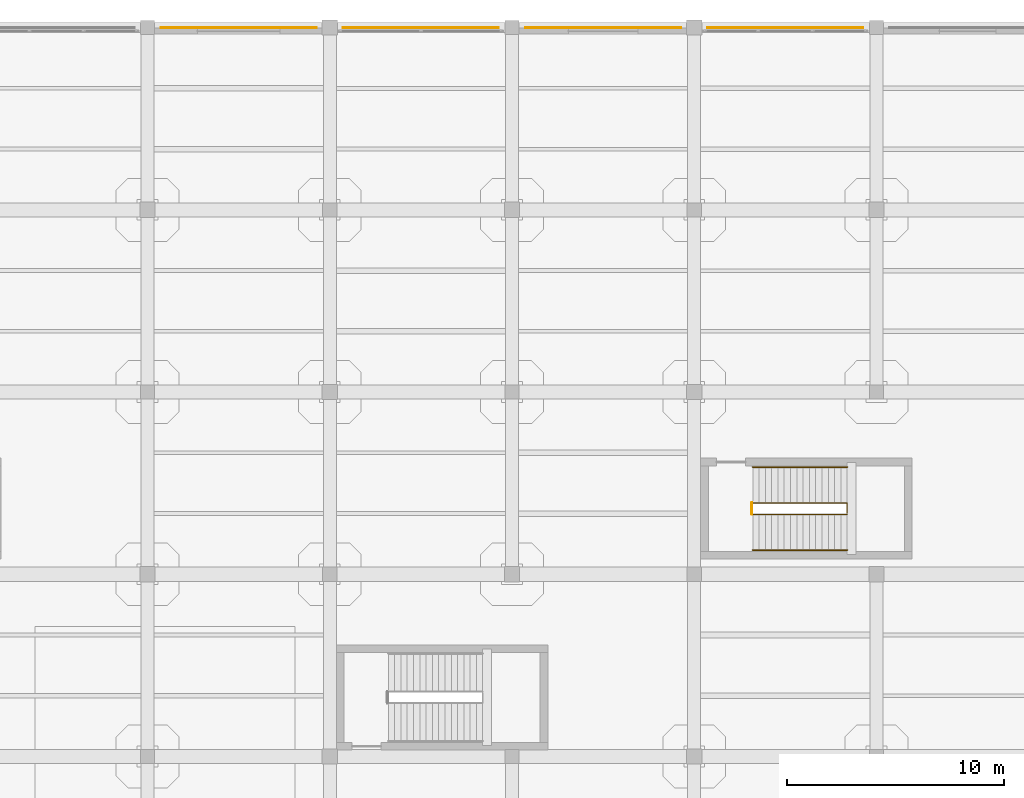
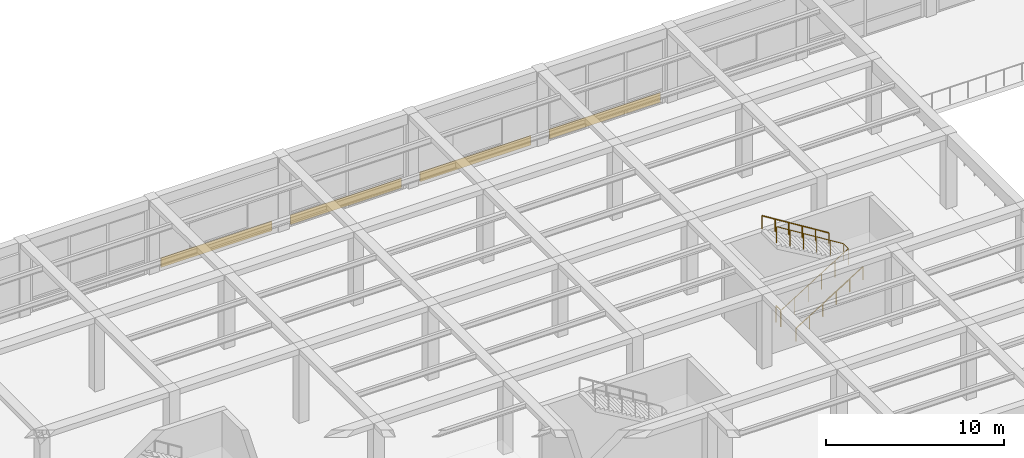
# One storey, part 90 of 96: 4 coverings, 4 railings.
"""IFC4 building model written with IfcOpenShell, lengths in metres."""

from ifc_helpers import new_model, si_unit, direction, frame, origin, origin_2d, place, context, subcontext, project, spatial, rectangle, circle, extrude, material, layer, layer_set, type_object, element, save


model = new_model("IFC4")

# Units and contexts
model_context = context("Model", 3, precision=1e-05, world=origin(), true_north=direction((0.0, 1.0)))
body_context = subcontext(model_context, "Body", "Model", "MODEL_VIEW")
ifc_project = project(units=[si_unit("LENGTHUNIT", "METRE"), si_unit("AREAUNIT", "SQUARE_METRE"), si_unit("VOLUMEUNIT", "CUBIC_METRE"), si_unit("PLANEANGLEUNIT", "RADIAN"), si_unit("MASSUNIT", "GRAM", prefix="KILO")], contexts=[model_context])

# Site, building, storey
site_placement = place(None, origin())
site = spatial("IfcSite", under=ifc_project, at=site_placement, CompositionType="ELEMENT")
building_placement = place(site_placement, origin())
building = spatial("IfcBuilding", under=site, at=building_placement, Name="Almacenes y Pasaje Nevantli", CompositionType="ELEMENT")
storey_placement = place(building_placement, frame((0.0, 0.0, 6.0)))
storey = spatial("IfcBuildingStorey", under=building, at=storey_placement, Name="L02", CompositionType="ELEMENT", Elevation=6.0)

# Coverings
ifc_material_1 = material(Name="Cantera Rosa Quarry Tuff Stone", Category="masonry")
ifc_layer = layer(ifc_material_1, 0.044921875)
ifc_layer_set = layer_set([ifc_layer], Name="Cantera Rosa Quarry Tuff Stone")
covering_type = type_object("IfcCoveringType", Name="COV-CANTERA-CLAD", PredefinedType="CLADDING", material=ifc_layer_set)
for number, where, z_axis, x_axis, name in (
    (1, (29.39990234375, 117.60009765625, 0.0), (0.0, 0.0, 1.0), (1.0, 0.0, 0.0), "Boulevard Polychrome Cantera Rosa Spandrel Cladding #4"),
    (2, (37.800048828125, 117.60009765625, 0.0), (0.0, 0.0, 1.0), (1.0, 0.0, 0.0), "Boulevard Polychrome Cantera Rosa Spandrel Cladding #5"),
    (3, (46.199951171875, 117.60009765625, 0.0), (0.0, 0.0, 1.0), (1.0, 0.0, 0.0), "Boulevard Polychrome Cantera Rosa Spandrel Cladding #6"),
    (4, (54.60009765625, 117.60009765625, 0.0), (0.0, 0.0, 1.0), (1.0, 0.0, 0.0), "Boulevard Polychrome Cantera Rosa Spandrel Cladding #7"),
):
    element("IfcCovering", number, at=place(storey_placement, frame(where, z_axis=z_axis, x_axis=x_axis)), inside=storey, type_object=covering_type, Name=name, PredefinedType="CLADDING", context=body_context, shape_type="SweptSolid", body=[
        extrude(rectangle(XDim=7.199951171875, YDim=0.044921875, at=origin_2d()), origin(), (0.0, 0.0, 1.0), 0.64990234375),
    ])

# Railings
ifc_material_2 = material(Name="Brushed Stainless Steel and Tempered Safety Glass", Category="steel")
railing_type_1 = type_object("IfcRailingType", Name="RL-GUARD-1100", PredefinedType="BALUSTRADE", material=ifc_material_2)
railing_1_placement = place(storey_placement, frame((53.10009765625, 95.159912109375, 0.0)))
element("IfcRailing", 5, at=railing_1_placement, inside=storey, type_object=railing_type_1, Name="L02 Stair ST-05 Inner Well Guard Balustrade", PredefinedType="BALUSTRADE", context=body_context, shape_type="SweptSolid", body=[
    extrude(circle(Radius=0.02392578125, at=origin_2d()), frame((0.025390625, 0.0, 1.1416015625), z_axis=(0.849636482215, 0.0, 0.527368797038), x_axis=(0.0, 1.0, 0.0)), (0.0, 0.0, 1.0), 5.0595703125),
    extrude(circle(Radius=0.02392578125, at=origin_2d()), frame((4.349853515625, 0.030029296875, 3.82568359375), z_axis=(0.0, 1.0, 0.0), x_axis=(-1.0, 0.0, 0.0)), (0.0, 0.0, 1.0), 0.469970703125),
    extrude(circle(Radius=0.02392578125, at=origin_2d()), frame((4.324462890625, 0.530029296875, 3.841552734375), z_axis=(-0.849636482215, 0.0, 0.527368797038), x_axis=(0.0, -1.0, 0.0)), (0.0, 0.0, 1.0), 5.0595703125),
    extrude(circle(Radius=0.02099609375, at=origin_2d()), origin(), (0.0, 0.0, 1.0), 1.096923828125),
    extrude(circle(Radius=0.02099609375, at=origin_2d()), frame((0.869873046875, 0.0, 0.5400390625)), (0.0, 0.0, 1.0), 1.096923828125),
    extrude(circle(Radius=0.02099609375, at=origin_2d()), frame((1.739990234375, 0.0, 1.080078125)), (0.0, 0.0, 1.0), 1.096923828125),
    extrude(circle(Radius=0.02099609375, at=origin_2d()), frame((2.60986328125, 0.0, 1.619873046875)), (0.0, 0.0, 1.0), 1.096923828125),
    extrude(circle(Radius=0.02099609375, at=origin_2d()), frame((3.47998046875, 0.0, 2.159912109375)), (0.0, 0.0, 1.0), 1.096923828125),
    extrude(circle(Radius=0.02099609375, at=origin_2d()), frame((4.349853515625, 0.0, 2.699951171875)), (0.0, 0.0, 1.0), 1.096923828125),
    extrude(circle(Radius=0.02099609375, at=origin_2d()), frame((4.349853515625, 0.530029296875, 2.699951171875)), (0.0, 0.0, 1.0), 1.096923828125),
    extrude(circle(Radius=0.02099609375, at=origin_2d()), frame((3.47998046875, 0.530029296875, 3.239990234375)), (0.0, 0.0, 1.0), 1.096923828125),
    extrude(circle(Radius=0.02099609375, at=origin_2d()), frame((2.60986328125, 0.530029296875, 3.780029296875)), (0.0, 0.0, 1.0), 1.096923828125),
    extrude(circle(Radius=0.02099609375, at=origin_2d()), frame((1.739990234375, 0.530029296875, 4.31982421875)), (0.0, 0.0, 1.0), 1.096923828125),
    extrude(circle(Radius=0.02099609375, at=origin_2d()), frame((0.869873046875, 0.530029296875, 4.85986328125)), (0.0, 0.0, 1.0), 1.096923828125),
    extrude(circle(Radius=0.02099609375, at=origin_2d()), frame((0.0, 0.530029296875, 5.39990234375)), (0.0, 0.0, 1.0), 1.096923828125),
])
railing_2_placement = place(storey_placement, frame((53.06005859375, 95.159912109375, 0.0)))
element("IfcRailing", 6, at=railing_2_placement, inside=storey, type_object=railing_type_1, Name="L02 Stair ST-05 Landing Well Slot Guard", PredefinedType="BALUSTRADE", context=body_context, shape_type="SweptSolid", body=[
    extrude(circle(Radius=0.02392578125, at=origin_2d()), frame((0.0, 0.030029296875, 1.1259765625), z_axis=(0.0, 1.0, 0.0), x_axis=(-1.0, 0.0, 0.0)), (0.0, 0.0, 1.0), 0.469970703125),
    extrude(circle(Radius=0.02099609375, at=origin_2d()), origin(), (0.0, 0.0, 1.0), 1.096923828125),
    extrude(circle(Radius=0.02099609375, at=origin_2d()), frame((0.0, 0.530029296875, 0.0)), (0.0, 0.0, 1.0), 1.096923828125),
])
ifc_material_3 = material(Name="Brushed Stainless Steel Tube", Category="steel")
railing_type_2 = type_object("IfcRailingType", Name="RL-HANDRAIL-900", PredefinedType="HANDRAIL", material=ifc_material_3)
railing_3_placement = place(storey_placement, frame((53.10009765625, 93.510009765625, 0.0)))
element("IfcRailing", 7, at=railing_3_placement, inside=storey, type_object=railing_type_2, Name="L02 Stair ST-05 Lower Flight Handrail", PredefinedType="HANDRAIL", context=body_context, shape_type="SweptSolid", body=[
    extrude(circle(Radius=0.02392578125, at=origin_2d()), frame((0.025390625, 0.0, 0.8916015625), z_axis=(0.849636482215, 0.0, 0.527368797038), x_axis=(0.0, 1.0, 0.0)), (0.0, 0.0, 1.0), 5.0595703125),
    extrude(circle(Radius=0.02099609375, at=origin_2d()), origin(), (0.0, 0.0, 1.0), 0.846923828125),
    extrude(circle(Radius=0.02099609375, at=origin_2d()), frame((0.869873046875, 0.0, 0.5400390625)), (0.0, 0.0, 1.0), 0.846923828125),
    extrude(circle(Radius=0.02099609375, at=origin_2d()), frame((1.739990234375, 0.0, 1.080078125)), (0.0, 0.0, 1.0), 0.846923828125),
    extrude(circle(Radius=0.02099609375, at=origin_2d()), frame((2.60986328125, 0.0, 1.619873046875)), (0.0, 0.0, 1.0), 0.846923828125),
    extrude(circle(Radius=0.02099609375, at=origin_2d()), frame((3.47998046875, 0.0, 2.159912109375)), (0.0, 0.0, 1.0), 0.846923828125),
    extrude(circle(Radius=0.02099609375, at=origin_2d()), frame((4.349853515625, 0.0, 2.699951171875)), (0.0, 0.0, 1.0), 0.846923828125),
])
railing_4_placement = place(storey_placement, frame((57.449951171875, 97.340087890625, 2.699951171875)))
element("IfcRailing", 8, at=railing_4_placement, inside=storey, type_object=railing_type_2, Name="L02 Stair ST-05 Upper Flight Handrail", PredefinedType="HANDRAIL", context=body_context, shape_type="SweptSolid", body=[
    extrude(circle(Radius=0.02392578125, at=origin_2d()), frame((-0.025390625, 0.0, 0.8916015625), z_axis=(-0.849636482215, 0.0, 0.527368797038), x_axis=(0.0, -1.0, 0.0)), (0.0, 0.0, 1.0), 5.0595703125),
    extrude(circle(Radius=0.02099609375, at=origin_2d()), origin(), (0.0, 0.0, 1.0), 0.846923828125),
    extrude(circle(Radius=0.02099609375, at=origin_2d()), frame((-0.869873046875, 0.0, 0.5400390625)), (0.0, 0.0, 1.0), 0.846923828125),
    extrude(circle(Radius=0.02099609375, at=origin_2d()), frame((-1.739990234375, 0.0, 1.080078125)), (0.0, 0.0, 1.0), 0.846923828125),
    extrude(circle(Radius=0.02099609375, at=origin_2d()), frame((-2.60986328125, 0.0, 1.619873046875)), (0.0, 0.0, 1.0), 0.846923828125),
    extrude(circle(Radius=0.02099609375, at=origin_2d()), frame((-3.47998046875, 0.0, 2.159912109375)), (0.0, 0.0, 1.0), 0.846923828125),
    extrude(circle(Radius=0.02099609375, at=origin_2d()), frame((-4.349853515625, 0.0, 2.699951171875)), (0.0, 0.0, 1.0), 0.846923828125),
])

save(model, "model.ifc")
